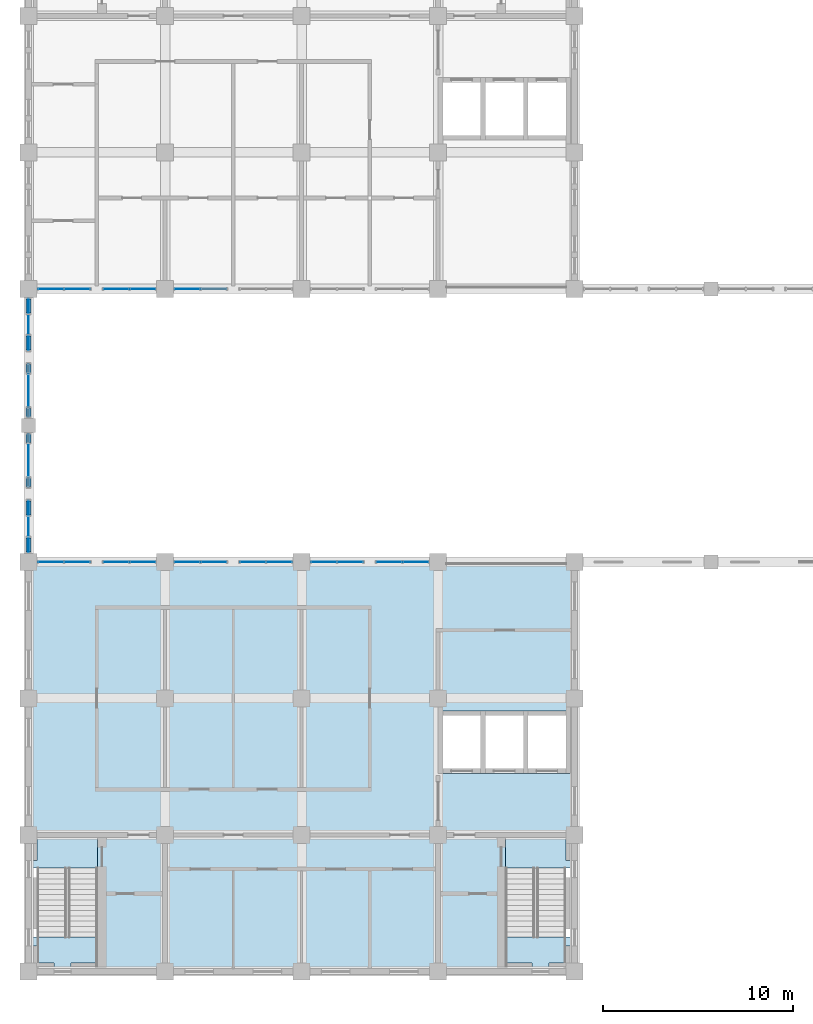
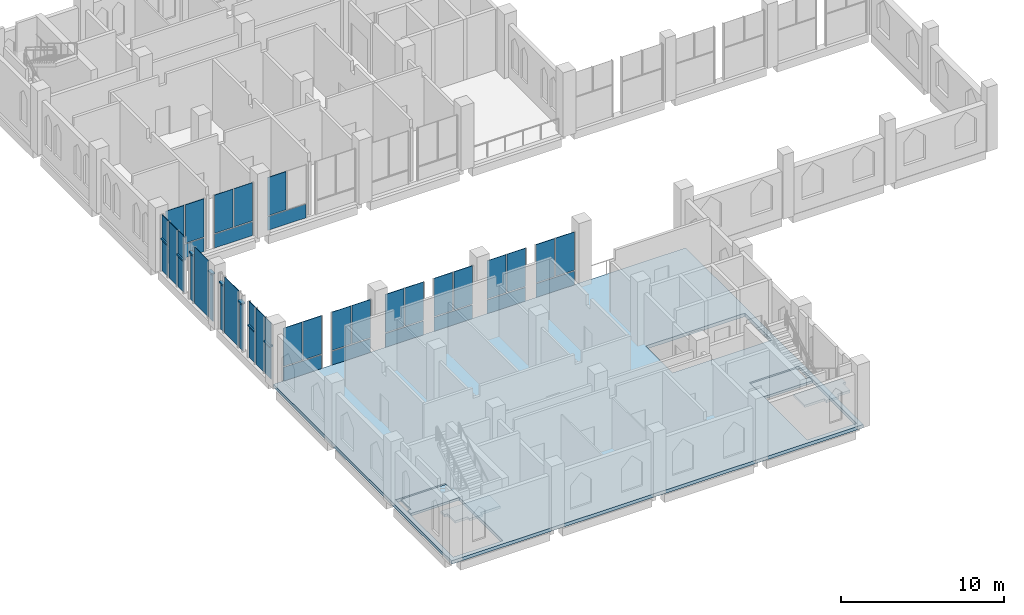
# One storey, part 24 of 39: 42 plates, 8 members, 5 slabs, 15 elements without a shape of their own.
"""IFC4 building model written with IfcOpenShell, lengths in metres."""

from ifc_helpers import new_model, si_unit, direction, frame, origin, origin_2d, place, context, subcontext, project, spatial, polyline, rectangle, hollow_rectangle, outline, extrude, material, layer, layer_set, material_profile, profile_set, type_object, element, aggregate, save


model = new_model("IFC4")

# Units and contexts
model_context = context("Model", 3, precision=1e-05, world=origin(), true_north=direction((0.0, 1.0)))
body_context = subcontext(model_context, "Body", "Model", "MODEL_VIEW")
ifc_project = project(units=[si_unit("LENGTHUNIT", "METRE"), si_unit("AREAUNIT", "SQUARE_METRE"), si_unit("VOLUMEUNIT", "CUBIC_METRE"), si_unit("PLANEANGLEUNIT", "RADIAN"), si_unit("MASSUNIT", "GRAM", prefix="KILO")], contexts=[model_context])

# Site, building, storey
site_placement = place(None, origin())
site = spatial("IfcSite", under=ifc_project, at=site_placement, CompositionType="ELEMENT")
building_placement = place(site_placement, origin())
building = spatial("IfcBuilding", under=site, at=building_placement, Name="Silangan Lancet Faculty of Sciences", CompositionType="ELEMENT")
storey_placement = place(building_placement, frame((0.0, 0.0, 26.39990234375)))
storey = spatial("IfcBuildingStorey", under=building, at=storey_placement, Name="L05", CompositionType="ELEMENT", Elevation=26.39990234375)

# Curtain wall, members
ifc_material_1 = material(Name="Aluminium framed curtain wall with insulated glass", Category="aluminium")
curtain_wall_type_1 = type_object("IfcCurtainWallType", Name="CW3 West stepped lancet window", PredefinedType="NOTDEFINED", material=ifc_material_1)
curtain_wall_1_placement = place(storey_placement, origin())
curtain_wall_1 = element("IfcCurtainWall", 1, at=curtain_wall_1_placement, inside=storey, type_object=curtain_wall_type_1, Name="CW3 West window L05 bay 1", PredefinedType="NOTDEFINED")
ifc_material_2 = material(Name="Aluminium 6063-T6 extrusion", Category="aluminium")
ifc_material_profile = material_profile(ifc_material_2, hollow_rectangle(XDim=0.25, YDim=0.10009765625, WallThickness=0.0048828125, at=origin_2d()), Name="AL BOX 250x100x5")
ifc_profile_set = profile_set([ifc_material_profile], Name="Aluminium 6063-T6 extrusion")
member_type = type_object("IfcMemberType", Name="CT3 Transom 250x100", PredefinedType="USERDEFINED", material=ifc_profile_set)
member_1_placement = place(storey_placement, frame((0.0, 22.125, 2.4501953125), z_axis=(0.0, 1.0, 0.0), x_axis=(-1.0, 0.0, 0.0)))
member_1 = element("IfcMember", 2, at=member_1_placement, type_object=member_type, Name="CW3 West window L05 bay 1 transom 1", ObjectType="TRANSOM", PredefinedType="USERDEFINED", context=body_context, shape_type="SweptSolid", body=[
    extrude(hollow_rectangle(XDim=0.25, YDim=0.10009765625, WallThickness=0.0048828125, at=origin_2d()), origin(), (0.0, 0.0, 1.0), 0.75),
])
member_2_placement = place(storey_placement, frame((0.0, 24.074951171875, 2.4501953125), z_axis=(0.0, 1.0, 0.0), x_axis=(-1.0, 0.0, 0.0)))
member_2 = element("IfcMember", 3, at=member_2_placement, type_object=member_type, Name="CW3 West window L05 bay 1 transom 2", ObjectType="TRANSOM", PredefinedType="USERDEFINED", context=body_context, shape_type="SweptSolid", body=[
    extrude(hollow_rectangle(XDim=0.25, YDim=0.10009765625, WallThickness=0.0048828125, at=origin_2d()), origin(), (0.0, 0.0, 1.0), 0.75),
])

ifc_material_3 = material(Name="Aluminium framed curtain wall with insulated glass", Category="aluminium")
curtain_wall_type_2 = type_object("IfcCurtainWallType", Name="CW6 West window middle bays", PredefinedType="NOTDEFINED", material=ifc_material_3)
curtain_wall_2_placement = place(storey_placement, origin())
curtain_wall_2 = element("IfcCurtainWall", 4, at=curtain_wall_2_placement, inside=storey, type_object=curtain_wall_type_2, Name="CW6 West window L05 bay 2", PredefinedType="NOTDEFINED")
member_3_placement = place(storey_placement, frame((0.0, 25.574951171875, 3.550048828125), z_axis=(0.0, 1.0, 0.0), x_axis=(-1.0, 0.0, 0.0)))
member_3 = element("IfcMember", 5, at=member_3_placement, type_object=member_type, Name="CW6 West window L05 bay 2 transom 1", ObjectType="TRANSOM", PredefinedType="USERDEFINED", context=body_context, shape_type="SweptSolid", body=[
    extrude(hollow_rectangle(XDim=0.25, YDim=0.10009765625, WallThickness=0.0048828125, at=origin_2d()), origin(), (0.0, 0.0, 1.0), 0.449951171875),
])
member_4_placement = place(storey_placement, frame((0.0, 27.89990234375, 3.550048828125), z_axis=(0.0, 1.0, 0.0), x_axis=(-1.0, 0.0, 0.0)))
member_4 = element("IfcMember", 6, at=member_4_placement, type_object=member_type, Name="CW6 West window L05 bay 2 transom 2", ObjectType="TRANSOM", PredefinedType="USERDEFINED", context=body_context, shape_type="SweptSolid", body=[
    extrude(hollow_rectangle(XDim=0.25, YDim=0.10009765625, WallThickness=0.0048828125, at=origin_2d()), origin(), (0.0, 0.0, 1.0), 0.4501953125),
])

curtain_wall_3_placement = place(storey_placement, origin())
curtain_wall_3 = element("IfcCurtainWall", 7, at=curtain_wall_3_placement, inside=storey, type_object=curtain_wall_type_2, Name="CW6 West window L05 bay 3", PredefinedType="NOTDEFINED")
member_5_placement = place(storey_placement, frame((0.0, 29.25, 3.550048828125), z_axis=(0.0, 1.0, 0.0), x_axis=(-1.0, 0.0, 0.0)))
member_5 = element("IfcMember", 8, at=member_5_placement, type_object=member_type, Name="CW6 West window L05 bay 3 transom 1", ObjectType="TRANSOM", PredefinedType="USERDEFINED", context=body_context, shape_type="SweptSolid", body=[
    extrude(hollow_rectangle(XDim=0.25, YDim=0.10009765625, WallThickness=0.0048828125, at=origin_2d()), origin(), (0.0, 0.0, 1.0), 0.449951171875),
])
member_6_placement = place(storey_placement, frame((0.0, 31.574951171875, 3.550048828125), z_axis=(0.0, 1.0, 0.0), x_axis=(-1.0, 0.0, 0.0)))
member_6 = element("IfcMember", 9, at=member_6_placement, type_object=member_type, Name="CW6 West window L05 bay 3 transom 2", ObjectType="TRANSOM", PredefinedType="USERDEFINED", context=body_context, shape_type="SweptSolid", body=[
    extrude(hollow_rectangle(XDim=0.25, YDim=0.10009765625, WallThickness=0.0048828125, at=origin_2d()), origin(), (0.0, 0.0, 1.0), 0.449951171875),
])

curtain_wall_4_placement = place(storey_placement, origin())
curtain_wall_4 = element("IfcCurtainWall", 10, at=curtain_wall_4_placement, inside=storey, type_object=curtain_wall_type_1, Name="CW3 West window L05 bay 4", PredefinedType="NOTDEFINED")
member_7_placement = place(storey_placement, frame((0.0, 32.77490234375, 2.4501953125), z_axis=(0.0, 1.0, 0.0), x_axis=(-1.0, 0.0, 0.0)))
member_7 = element("IfcMember", 11, at=member_7_placement, type_object=member_type, Name="CW3 West window L05 bay 4 transom 1", ObjectType="TRANSOM", PredefinedType="USERDEFINED", context=body_context, shape_type="SweptSolid", body=[
    extrude(hollow_rectangle(XDim=0.25, YDim=0.10009765625, WallThickness=0.0048828125, at=origin_2d()), origin(), (0.0, 0.0, 1.0), 0.75),
])
member_8_placement = place(storey_placement, frame((0.0, 34.72509765625, 2.4501953125), z_axis=(0.0, 1.0, 0.0), x_axis=(-1.0, 0.0, 0.0)))
member_8 = element("IfcMember", 12, at=member_8_placement, type_object=member_type, Name="CW3 West window L05 bay 4 transom 2", ObjectType="TRANSOM", PredefinedType="USERDEFINED", context=body_context, shape_type="SweptSolid", body=[
    extrude(hollow_rectangle(XDim=0.25, YDim=0.10009765625, WallThickness=0.0048828125, at=origin_2d()), origin(), (0.0, 0.0, 1.0), 0.75),
])

# Plate
ifc_material_4 = material(Name="Insulated glass unit 8+16+8 low-emissivity", Category="glass")
ifc_layer_1 = layer(ifc_material_4, 0.031982421875)
ifc_layer_set_1 = layer_set([ifc_layer_1], Name="Insulated glass unit 8+16+8 low-emissivity")
plate_type_1 = type_object("IfcPlateType", Name="CP1 Panel vision glass 32", PredefinedType="CURTAIN_PANEL", material=ifc_layer_set_1)
plate_1_placement = place(storey_placement, frame((0.0, 22.5, 2.5), z_axis=(0.0, 0.0, 1.0), x_axis=(0.0, 1.0, 0.0)))
plate_1 = element("IfcPlate", 13, at=plate_1_placement, type_object=plate_type_1, Name="CW3 West window L05 bay 1 panel 3", PredefinedType="CURTAIN_PANEL", context=body_context, shape_type="SweptSolid", body=[
    extrude(rectangle(XDim=0.75, YDim=0.031982421875, at=origin_2d()), origin(), (0.0, 0.0, 1.0), 1.699951171875),
])

plate_2_placement = place(storey_placement, frame((0.0, 24.449951171875, 2.5), z_axis=(0.0, 0.0, 1.0), x_axis=(0.0, 1.0, 0.0)))
plate_2 = element("IfcPlate", 14, at=plate_2_placement, type_object=plate_type_1, Name="CW3 West window L05 bay 1 panel 4", PredefinedType="CURTAIN_PANEL", context=body_context, shape_type="SweptSolid", body=[
    extrude(rectangle(XDim=0.75, YDim=0.031982421875, at=origin_2d()), origin(), (0.0, 0.0, 1.0), 1.699951171875),
])

plate_3_placement = place(storey_placement, frame((0.0, 33.14990234375, 2.5), z_axis=(0.0, 0.0, 1.0), x_axis=(0.0, 1.0, 0.0)))
plate_3 = element("IfcPlate", 15, at=plate_3_placement, type_object=plate_type_1, Name="CW3 West window L05 bay 4 panel 3", PredefinedType="CURTAIN_PANEL", context=body_context, shape_type="SweptSolid", body=[
    extrude(rectangle(XDim=0.75, YDim=0.031982421875, at=origin_2d()), origin(), (0.0, 0.0, 1.0), 1.699951171875),
])

plate_4_placement = place(storey_placement, frame((0.0, 35.10009765625, 2.5), z_axis=(0.0, 0.0, 1.0), x_axis=(0.0, 1.0, 0.0)))
plate_4 = element("IfcPlate", 16, at=plate_4_placement, type_object=plate_type_1, Name="CW3 West window L05 bay 4 panel 4", PredefinedType="CURTAIN_PANEL", context=body_context, shape_type="SweptSolid", body=[
    extrude(rectangle(XDim=0.75, YDim=0.031982421875, at=origin_2d()), origin(), (0.0, 0.0, 1.0), 1.699951171875),
])

ifc_material_5 = material(Name="Laminated insulated glass unit 10.76+14+8", Category="glass")
ifc_layer_2 = layer(ifc_material_5, 0.035888671875)
ifc_layer_set_2 = layer_set([ifc_layer_2], Name="Laminated insulated glass unit 10.76+14+8")
plate_type_2 = type_object("IfcPlateType", Name="CP2 Panel laminated glass 36", PredefinedType="CURTAIN_PANEL", material=ifc_layer_set_2)
plate_5_placement = place(storey_placement, frame((0.0, 22.5, 0.000244140625), z_axis=(0.0, 0.0, 1.0), x_axis=(0.0, 1.0, 0.0)))
plate_5 = element("IfcPlate", 17, at=plate_5_placement, type_object=plate_type_2, Name="CW3 West window L05 bay 1 panel 1", PredefinedType="CURTAIN_PANEL", context=body_context, shape_type="SweptSolid", body=[
    extrude(rectangle(XDim=0.75, YDim=0.035888671875, at=origin_2d()), origin(), (0.0, 0.0, 1.0), 2.39990234375),
])

plate_6_placement = place(storey_placement, frame((0.0, 24.449951171875, 0.000244140625), z_axis=(0.0, 0.0, 1.0), x_axis=(0.0, 1.0, 0.0)))
plate_6 = element("IfcPlate", 18, at=plate_6_placement, type_object=plate_type_2, Name="CW3 West window L05 bay 1 panel 2", PredefinedType="CURTAIN_PANEL", context=body_context, shape_type="SweptSolid", body=[
    extrude(rectangle(XDim=0.75, YDim=0.035888671875, at=origin_2d()), origin(), (0.0, 0.0, 1.0), 2.39990234375),
])

plate_7_placement = place(storey_placement, frame((0.0, 23.47509765625, 0.0), z_axis=(0.0, 0.0, 1.0), x_axis=(0.0, 1.0, 0.0)))
plate_7 = element("IfcPlate", 19, at=plate_7_placement, type_object=plate_type_2, Name="CW3 West window L05 bay 1 panel 5", PredefinedType="CURTAIN_PANEL", context=body_context, shape_type="SweptSolid", body=[
    extrude(rectangle(XDim=1.050048828125, YDim=0.035888671875, at=origin_2d()), origin(), (0.0, 0.0, 1.0), 4.199951171875),
])

aggregate(curtain_wall_1, [member_1, member_2, plate_5, plate_6, plate_1, plate_2, plate_7])

plate_8_placement = place(storey_placement, frame((0.0, 25.800048828125, 0.0), z_axis=(0.0, 0.0, 1.0), x_axis=(0.0, 1.0, 0.0)))
plate_8 = element("IfcPlate", 20, at=plate_8_placement, type_object=plate_type_2, Name="CW6 West window L05 bay 2 panel 1", PredefinedType="CURTAIN_PANEL", context=body_context, shape_type="SweptSolid", body=[
    extrude(rectangle(XDim=0.449951171875, YDim=0.035888671875, at=origin_2d()), origin(), (0.0, 0.0, 1.0), 3.5),
])

plate_9_placement = place(storey_placement, frame((0.0, 28.125, 0.0), z_axis=(0.0, 0.0, 1.0), x_axis=(0.0, 1.0, 0.0)))
plate_9 = element("IfcPlate", 21, at=plate_9_placement, type_object=plate_type_2, Name="CW6 West window L05 bay 2 panel 2", PredefinedType="CURTAIN_PANEL", context=body_context, shape_type="SweptSolid", body=[
    extrude(rectangle(XDim=0.449951171875, YDim=0.035888671875, at=origin_2d()), origin(), (0.0, 0.0, 1.0), 3.5),
])

plate_10_placement = place(storey_placement, frame((0.0, 26.96240234375, 0.0), z_axis=(0.0, 0.0, 1.0), x_axis=(0.0, 1.0, 0.0)))
plate_10 = element("IfcPlate", 22, at=plate_10_placement, type_object=plate_type_2, Name="CW6 West window L05 bay 2 panel 5", PredefinedType="CURTAIN_PANEL", context=body_context, shape_type="SweptSolid", body=[
    extrude(rectangle(XDim=1.72509765625, YDim=0.035888671875, at=origin_2d()), origin(), (0.0, 0.0, 1.0), 4.199951171875),
])

aggregate(curtain_wall_2, [member_3, member_4, plate_8, plate_9, plate_10])

plate_11_placement = place(storey_placement, frame((0.0, 29.47509765625, 0.0), z_axis=(0.0, 0.0, 1.0), x_axis=(0.0, 1.0, 0.0)))
plate_11 = element("IfcPlate", 23, at=plate_11_placement, type_object=plate_type_2, Name="CW6 West window L05 bay 3 panel 1", PredefinedType="CURTAIN_PANEL", context=body_context, shape_type="SweptSolid", body=[
    extrude(rectangle(XDim=0.449951171875, YDim=0.035888671875, at=origin_2d()), origin(), (0.0, 0.0, 1.0), 3.5),
])

plate_12_placement = place(storey_placement, frame((0.0, 31.7998046875, 0.0), z_axis=(0.0, 0.0, 1.0), x_axis=(0.0, 1.0, 0.0)))
plate_12 = element("IfcPlate", 24, at=plate_12_placement, type_object=plate_type_2, Name="CW6 West window L05 bay 3 panel 2", PredefinedType="CURTAIN_PANEL", context=body_context, shape_type="SweptSolid", body=[
    extrude(rectangle(XDim=0.449951171875, YDim=0.035888671875, at=origin_2d()), origin(), (0.0, 0.0, 1.0), 3.5),
])

plate_13_placement = place(storey_placement, frame((0.0, 30.637451171875, 0.0), z_axis=(0.0, 0.0, 1.0), x_axis=(0.0, 1.0, 0.0)))
plate_13 = element("IfcPlate", 25, at=plate_13_placement, type_object=plate_type_2, Name="CW6 West window L05 bay 3 panel 5", PredefinedType="CURTAIN_PANEL", context=body_context, shape_type="SweptSolid", body=[
    extrude(rectangle(XDim=1.724853515625, YDim=0.035888671875, at=origin_2d()), origin(), (0.0, 0.0, 1.0), 4.199951171875),
])

aggregate(curtain_wall_3, [member_5, member_6, plate_11, plate_12, plate_13])

plate_14_placement = place(storey_placement, frame((0.0, 33.14990234375, 0.000244140625), z_axis=(0.0, 0.0, 1.0), x_axis=(0.0, 1.0, 0.0)))
plate_14 = element("IfcPlate", 26, at=plate_14_placement, type_object=plate_type_2, Name="CW3 West window L05 bay 4 panel 1", PredefinedType="CURTAIN_PANEL", context=body_context, shape_type="SweptSolid", body=[
    extrude(rectangle(XDim=0.75, YDim=0.035888671875, at=origin_2d()), origin(), (0.0, 0.0, 1.0), 2.39990234375),
])

plate_15_placement = place(storey_placement, frame((0.0, 35.10009765625, 0.000244140625), z_axis=(0.0, 0.0, 1.0), x_axis=(0.0, 1.0, 0.0)))
plate_15 = element("IfcPlate", 27, at=plate_15_placement, type_object=plate_type_2, Name="CW3 West window L05 bay 4 panel 2", PredefinedType="CURTAIN_PANEL", context=body_context, shape_type="SweptSolid", body=[
    extrude(rectangle(XDim=0.75, YDim=0.035888671875, at=origin_2d()), origin(), (0.0, 0.0, 1.0), 2.39990234375),
])

plate_16_placement = place(storey_placement, frame((0.0, 34.125, 0.0), z_axis=(0.0, 0.0, 1.0), x_axis=(0.0, 1.0, 0.0)))
plate_16 = element("IfcPlate", 28, at=plate_16_placement, type_object=plate_type_2, Name="CW3 West window L05 bay 4 panel 5", PredefinedType="CURTAIN_PANEL", context=body_context, shape_type="SweptSolid", body=[
    extrude(rectangle(XDim=1.050048828125, YDim=0.035888671875, at=origin_2d()), origin(), (0.0, 0.0, 1.0), 4.199951171875),
])

aggregate(curtain_wall_4, [member_7, member_8, plate_14, plate_15, plate_3, plate_4, plate_16])

# Curtain wall, plates
ifc_material_6 = material(Name="Aluminium framed curtain wall with insulated glass", Category="aluminium")
curtain_wall_type_3 = type_object("IfcCurtainWallType", Name="CW2 Atrium fire-resisting screen", PredefinedType="NOTDEFINED", material=ifc_material_6)
curtain_wall_5_placement = place(storey_placement, origin())
curtain_wall_5 = element("IfcCurtainWall", 29, at=curtain_wall_5_placement, inside=storey, type_object=curtain_wall_type_3, Name="CW2 Atrium south L05 bay 1", PredefinedType="NOTDEFINED")
ifc_material_7 = material(Name="Fire-resisting glass unit 40 mm, integrity E", Category="glass")
ifc_layer_3 = layer(ifc_material_7, 0.0400390625)
ifc_layer_set_3 = layer_set([ifc_layer_3], Name="Fire-resisting glass unit 40 mm, integrity E")
plate_type_3 = type_object("IfcPlateType", Name="CP3 Panel fire-resisting glass 40", PredefinedType="CURTAIN_PANEL", material=ifc_layer_set_3)
plate_17_placement = place(storey_placement, frame((19.72509765625, 21.60009765625, 0.000244140625), z_axis=(0.0, 0.0, 1.0), x_axis=(-1.0, 0.0, 0.0)))
plate_17 = element("IfcPlate", 30, at=plate_17_placement, type_object=plate_type_3, Name="CW2 Atrium south L05 bay 1 panel 1", PredefinedType="CURTAIN_PANEL", context=body_context, shape_type="SweptSolid", body=[
    extrude(rectangle(XDim=2.699951171875, YDim=0.0400390625, at=origin_2d()), origin(), (0.0, 0.0, 1.0), 1.02490234375),
])
plate_18_placement = place(storey_placement, frame((20.418701171875, 21.60009765625, 1.10009765625), z_axis=(0.0, 0.0, 1.0), x_axis=(-1.0, 0.0, 0.0)))
plate_18 = element("IfcPlate", 31, at=plate_18_placement, type_object=plate_type_3, Name="CW2 Atrium south L05 bay 1 panel 2", PredefinedType="CURTAIN_PANEL", context=body_context, shape_type="SweptSolid", body=[
    extrude(rectangle(XDim=1.3125, YDim=0.0400390625, at=origin_2d()), origin(), (0.0, 0.0, 1.0), 2.85009765625),
])
plate_19_placement = place(storey_placement, frame((19.03125, 21.60009765625, 1.10009765625), z_axis=(0.0, 0.0, 1.0), x_axis=(-1.0, 0.0, 0.0)))
plate_19 = element("IfcPlate", 32, at=plate_19_placement, type_object=plate_type_3, Name="CW2 Atrium south L05 bay 1 panel 3", PredefinedType="CURTAIN_PANEL", context=body_context, shape_type="SweptSolid", body=[
    extrude(rectangle(XDim=1.3125, YDim=0.0400390625, at=origin_2d()), origin(), (0.0, 0.0, 1.0), 2.85009765625),
])
aggregate(curtain_wall_5, [plate_17, plate_18, plate_19])

curtain_wall_6_placement = place(storey_placement, origin())
curtain_wall_6 = element("IfcCurtainWall", 33, at=curtain_wall_6_placement, inside=storey, type_object=curtain_wall_type_3, Name="CW2 Atrium south L05 bay 2", PredefinedType="NOTDEFINED")
plate_20_placement = place(storey_placement, frame((16.27490234375, 21.60009765625, 0.000244140625), z_axis=(0.0, 0.0, 1.0), x_axis=(-1.0, 0.0, 0.0)))
plate_20 = element("IfcPlate", 34, at=plate_20_placement, type_object=plate_type_3, Name="CW2 Atrium south L05 bay 2 panel 1", PredefinedType="CURTAIN_PANEL", context=body_context, shape_type="SweptSolid", body=[
    extrude(rectangle(XDim=2.699951171875, YDim=0.0400390625, at=origin_2d()), origin(), (0.0, 0.0, 1.0), 1.02490234375),
])
plate_21_placement = place(storey_placement, frame((16.96875, 21.60009765625, 1.10009765625), z_axis=(0.0, 0.0, 1.0), x_axis=(-1.0, 0.0, 0.0)))
plate_21 = element("IfcPlate", 35, at=plate_21_placement, type_object=plate_type_3, Name="CW2 Atrium south L05 bay 2 panel 2", PredefinedType="CURTAIN_PANEL", context=body_context, shape_type="SweptSolid", body=[
    extrude(rectangle(XDim=1.3125, YDim=0.0400390625, at=origin_2d()), origin(), (0.0, 0.0, 1.0), 2.85009765625),
])
plate_22_placement = place(storey_placement, frame((15.581298828125, 21.60009765625, 1.10009765625), z_axis=(0.0, 0.0, 1.0), x_axis=(-1.0, 0.0, 0.0)))
plate_22 = element("IfcPlate", 36, at=plate_22_placement, type_object=plate_type_3, Name="CW2 Atrium south L05 bay 2 panel 3", PredefinedType="CURTAIN_PANEL", context=body_context, shape_type="SweptSolid", body=[
    extrude(rectangle(XDim=1.3125, YDim=0.0400390625, at=origin_2d()), origin(), (0.0, 0.0, 1.0), 2.85009765625),
])
aggregate(curtain_wall_6, [plate_20, plate_21, plate_22])

curtain_wall_7_placement = place(storey_placement, origin())
curtain_wall_7 = element("IfcCurtainWall", 37, at=curtain_wall_7_placement, inside=storey, type_object=curtain_wall_type_3, Name="CW2 Atrium south L05 bay 3", PredefinedType="NOTDEFINED")
plate_23_placement = place(storey_placement, frame((12.52490234375, 21.60009765625, 0.000244140625), z_axis=(0.0, 0.0, 1.0), x_axis=(-1.0, 0.0, 0.0)))
plate_23 = element("IfcPlate", 38, at=plate_23_placement, type_object=plate_type_3, Name="CW2 Atrium south L05 bay 3 panel 1", PredefinedType="CURTAIN_PANEL", context=body_context, shape_type="SweptSolid", body=[
    extrude(rectangle(XDim=2.699951171875, YDim=0.0400390625, at=origin_2d()), origin(), (0.0, 0.0, 1.0), 1.02490234375),
])
plate_24_placement = place(storey_placement, frame((13.21875, 21.60009765625, 1.10009765625), z_axis=(0.0, 0.0, 1.0), x_axis=(-1.0, 0.0, 0.0)))
plate_24 = element("IfcPlate", 39, at=plate_24_placement, type_object=plate_type_3, Name="CW2 Atrium south L05 bay 3 panel 2", PredefinedType="CURTAIN_PANEL", context=body_context, shape_type="SweptSolid", body=[
    extrude(rectangle(XDim=1.3125, YDim=0.0400390625, at=origin_2d()), origin(), (0.0, 0.0, 1.0), 2.85009765625),
])
plate_25_placement = place(storey_placement, frame((11.831298828125, 21.60009765625, 1.10009765625), z_axis=(0.0, 0.0, 1.0), x_axis=(-1.0, 0.0, 0.0)))
plate_25 = element("IfcPlate", 40, at=plate_25_placement, type_object=plate_type_3, Name="CW2 Atrium south L05 bay 3 panel 3", PredefinedType="CURTAIN_PANEL", context=body_context, shape_type="SweptSolid", body=[
    extrude(rectangle(XDim=1.3125, YDim=0.0400390625, at=origin_2d()), origin(), (0.0, 0.0, 1.0), 2.85009765625),
])
aggregate(curtain_wall_7, [plate_23, plate_24, plate_25])

curtain_wall_8_placement = place(storey_placement, origin())
curtain_wall_8 = element("IfcCurtainWall", 41, at=curtain_wall_8_placement, inside=storey, type_object=curtain_wall_type_3, Name="CW2 Atrium south L05 bay 4", PredefinedType="NOTDEFINED")
plate_26_placement = place(storey_placement, frame((9.074951171875, 21.60009765625, 0.000244140625), z_axis=(0.0, 0.0, 1.0), x_axis=(-1.0, 0.0, 0.0)))
plate_26 = element("IfcPlate", 42, at=plate_26_placement, type_object=plate_type_3, Name="CW2 Atrium south L05 bay 4 panel 1", PredefinedType="CURTAIN_PANEL", context=body_context, shape_type="SweptSolid", body=[
    extrude(rectangle(XDim=2.699951171875, YDim=0.0400390625, at=origin_2d()), origin(), (0.0, 0.0, 1.0), 1.02490234375),
])
plate_27_placement = place(storey_placement, frame((9.768798828125, 21.60009765625, 1.10009765625), z_axis=(0.0, 0.0, 1.0), x_axis=(-1.0, 0.0, 0.0)))
plate_27 = element("IfcPlate", 43, at=plate_27_placement, type_object=plate_type_3, Name="CW2 Atrium south L05 bay 4 panel 2", PredefinedType="CURTAIN_PANEL", context=body_context, shape_type="SweptSolid", body=[
    extrude(rectangle(XDim=1.3125, YDim=0.0400390625, at=origin_2d()), origin(), (0.0, 0.0, 1.0), 2.85009765625),
])
plate_28_placement = place(storey_placement, frame((8.38134765625, 21.60009765625, 1.10009765625), z_axis=(0.0, 0.0, 1.0), x_axis=(-1.0, 0.0, 0.0)))
plate_28 = element("IfcPlate", 44, at=plate_28_placement, type_object=plate_type_3, Name="CW2 Atrium south L05 bay 4 panel 3", PredefinedType="CURTAIN_PANEL", context=body_context, shape_type="SweptSolid", body=[
    extrude(rectangle(XDim=1.3125, YDim=0.0400390625, at=origin_2d()), origin(), (0.0, 0.0, 1.0), 2.85009765625),
])
aggregate(curtain_wall_8, [plate_26, plate_27, plate_28])

curtain_wall_9_placement = place(storey_placement, origin())
curtain_wall_9 = element("IfcCurtainWall", 45, at=curtain_wall_9_placement, inside=storey, type_object=curtain_wall_type_3, Name="CW2 Atrium south L05 bay 5", PredefinedType="NOTDEFINED")
plate_29_placement = place(storey_placement, frame((5.324951171875, 21.60009765625, 0.000244140625), z_axis=(0.0, 0.0, 1.0), x_axis=(-1.0, 0.0, 0.0)))
plate_29 = element("IfcPlate", 46, at=plate_29_placement, type_object=plate_type_3, Name="CW2 Atrium south L05 bay 5 panel 1", PredefinedType="CURTAIN_PANEL", context=body_context, shape_type="SweptSolid", body=[
    extrude(rectangle(XDim=2.699951171875, YDim=0.0400390625, at=origin_2d()), origin(), (0.0, 0.0, 1.0), 1.02490234375),
])
plate_30_placement = place(storey_placement, frame((6.018798828125, 21.60009765625, 1.10009765625), z_axis=(0.0, 0.0, 1.0), x_axis=(-1.0, 0.0, 0.0)))
plate_30 = element("IfcPlate", 47, at=plate_30_placement, type_object=plate_type_3, Name="CW2 Atrium south L05 bay 5 panel 2", PredefinedType="CURTAIN_PANEL", context=body_context, shape_type="SweptSolid", body=[
    extrude(rectangle(XDim=1.3125, YDim=0.0400390625, at=origin_2d()), origin(), (0.0, 0.0, 1.0), 2.85009765625),
])
plate_31_placement = place(storey_placement, frame((4.63134765625, 21.60009765625, 1.10009765625), z_axis=(0.0, 0.0, 1.0), x_axis=(-1.0, 0.0, 0.0)))
plate_31 = element("IfcPlate", 48, at=plate_31_placement, type_object=plate_type_3, Name="CW2 Atrium south L05 bay 5 panel 3", PredefinedType="CURTAIN_PANEL", context=body_context, shape_type="SweptSolid", body=[
    extrude(rectangle(XDim=1.3125, YDim=0.0400390625, at=origin_2d()), origin(), (0.0, 0.0, 1.0), 2.85009765625),
])
aggregate(curtain_wall_9, [plate_29, plate_30, plate_31])

curtain_wall_10_placement = place(storey_placement, origin())
curtain_wall_10 = element("IfcCurtainWall", 49, at=curtain_wall_10_placement, inside=storey, type_object=curtain_wall_type_3, Name="CW2 Atrium south L05 bay 6", PredefinedType="NOTDEFINED")
plate_32_placement = place(storey_placement, frame((1.875, 21.60009765625, 0.000244140625), z_axis=(0.0, 0.0, 1.0), x_axis=(-1.0, 0.0, 0.0)))
plate_32 = element("IfcPlate", 50, at=plate_32_placement, type_object=plate_type_3, Name="CW2 Atrium south L05 bay 6 panel 1", PredefinedType="CURTAIN_PANEL", context=body_context, shape_type="SweptSolid", body=[
    extrude(rectangle(XDim=2.7001953125, YDim=0.0400390625, at=origin_2d()), origin(), (0.0, 0.0, 1.0), 1.02490234375),
])
plate_33_placement = place(storey_placement, frame((2.56884765625, 21.60009765625, 1.10009765625), z_axis=(0.0, 0.0, 1.0), x_axis=(-1.0, 0.0, 0.0)))
plate_33 = element("IfcPlate", 51, at=plate_33_placement, type_object=plate_type_3, Name="CW2 Atrium south L05 bay 6 panel 2", PredefinedType="CURTAIN_PANEL", context=body_context, shape_type="SweptSolid", body=[
    extrude(rectangle(XDim=1.3125, YDim=0.0400390625, at=origin_2d()), origin(), (0.0, 0.0, 1.0), 2.85009765625),
])
plate_34_placement = place(storey_placement, frame((1.181396484375, 21.60009765625, 1.10009765625), z_axis=(0.0, 0.0, 1.0), x_axis=(-1.0, 0.0, 0.0)))
plate_34 = element("IfcPlate", 52, at=plate_34_placement, type_object=plate_type_3, Name="CW2 Atrium south L05 bay 6 panel 3", PredefinedType="CURTAIN_PANEL", context=body_context, shape_type="SweptSolid", body=[
    extrude(rectangle(XDim=1.3125, YDim=0.0400390625, at=origin_2d()), origin(), (0.0, 0.0, 1.0), 2.85009765625),
])
aggregate(curtain_wall_10, [plate_32, plate_33, plate_34])

curtain_wall_11_placement = place(storey_placement, origin())
curtain_wall_11 = element("IfcCurtainWall", 53, at=curtain_wall_11_placement, inside=storey, type_object=curtain_wall_type_3, Name="CW2 Atrium north L05 bay 1", PredefinedType="NOTDEFINED")
plate_35_placement = place(storey_placement, frame((1.875, 36.0, 0.000244140625), z_axis=(0.0, 0.0, 1.0), x_axis=(1.0, 0.0, 0.0)))
plate_35 = element("IfcPlate", 54, at=plate_35_placement, type_object=plate_type_3, Name="CW2 Atrium north L05 bay 1 panel 1", PredefinedType="CURTAIN_PANEL", context=body_context, shape_type="SweptSolid", body=[
    extrude(rectangle(XDim=2.7001953125, YDim=0.0400390625, at=origin_2d()), origin(), (0.0, 0.0, 1.0), 1.02490234375),
])
plate_36_placement = place(storey_placement, frame((1.181396484375, 36.0, 1.10009765625), z_axis=(0.0, 0.0, 1.0), x_axis=(1.0, 0.0, 0.0)))
plate_36 = element("IfcPlate", 55, at=plate_36_placement, type_object=plate_type_3, Name="CW2 Atrium north L05 bay 1 panel 2", PredefinedType="CURTAIN_PANEL", context=body_context, shape_type="SweptSolid", body=[
    extrude(rectangle(XDim=1.3125, YDim=0.0400390625, at=origin_2d()), origin(), (0.0, 0.0, 1.0), 2.85009765625),
])
plate_37_placement = place(storey_placement, frame((2.56884765625, 36.0, 1.10009765625), z_axis=(0.0, 0.0, 1.0), x_axis=(1.0, 0.0, 0.0)))
plate_37 = element("IfcPlate", 56, at=plate_37_placement, type_object=plate_type_3, Name="CW2 Atrium north L05 bay 1 panel 3", PredefinedType="CURTAIN_PANEL", context=body_context, shape_type="SweptSolid", body=[
    extrude(rectangle(XDim=1.3125, YDim=0.0400390625, at=origin_2d()), origin(), (0.0, 0.0, 1.0), 2.85009765625),
])
aggregate(curtain_wall_11, [plate_35, plate_36, plate_37])

curtain_wall_12_placement = place(storey_placement, origin())
curtain_wall_12 = element("IfcCurtainWall", 57, at=curtain_wall_12_placement, inside=storey, type_object=curtain_wall_type_3, Name="CW2 Atrium north L05 bay 2", PredefinedType="NOTDEFINED")
plate_38_placement = place(storey_placement, frame((5.324951171875, 36.0, 0.000244140625), z_axis=(0.0, 0.0, 1.0), x_axis=(1.0, 0.0, 0.0)))
plate_38 = element("IfcPlate", 58, at=plate_38_placement, type_object=plate_type_3, Name="CW2 Atrium north L05 bay 2 panel 1", PredefinedType="CURTAIN_PANEL", context=body_context, shape_type="SweptSolid", body=[
    extrude(rectangle(XDim=2.699951171875, YDim=0.0400390625, at=origin_2d()), origin(), (0.0, 0.0, 1.0), 1.02490234375),
])
plate_39_placement = place(storey_placement, frame((4.63134765625, 36.0, 1.10009765625), z_axis=(0.0, 0.0, 1.0), x_axis=(1.0, 0.0, 0.0)))
plate_39 = element("IfcPlate", 59, at=plate_39_placement, type_object=plate_type_3, Name="CW2 Atrium north L05 bay 2 panel 2", PredefinedType="CURTAIN_PANEL", context=body_context, shape_type="SweptSolid", body=[
    extrude(rectangle(XDim=1.3125, YDim=0.0400390625, at=origin_2d()), origin(), (0.0, 0.0, 1.0), 2.85009765625),
])
plate_40_placement = place(storey_placement, frame((6.018798828125, 36.0, 1.10009765625), z_axis=(0.0, 0.0, 1.0), x_axis=(1.0, 0.0, 0.0)))
plate_40 = element("IfcPlate", 60, at=plate_40_placement, type_object=plate_type_3, Name="CW2 Atrium north L05 bay 2 panel 3", PredefinedType="CURTAIN_PANEL", context=body_context, shape_type="SweptSolid", body=[
    extrude(rectangle(XDim=1.3125, YDim=0.0400390625, at=origin_2d()), origin(), (0.0, 0.0, 1.0), 2.85009765625),
])
aggregate(curtain_wall_12, [plate_38, plate_39, plate_40])

curtain_wall_13_placement = place(storey_placement, origin())
curtain_wall_13 = element("IfcCurtainWall", 61, at=curtain_wall_13_placement, inside=storey, type_object=curtain_wall_type_3, Name="CW2 Atrium north L05 bay 3", PredefinedType="NOTDEFINED")
plate_41_placement = place(storey_placement, frame((9.074951171875, 36.0, 0.000244140625), z_axis=(0.0, 0.0, 1.0), x_axis=(1.0, 0.0, 0.0)))
plate_41 = element("IfcPlate", 62, at=plate_41_placement, type_object=plate_type_3, Name="CW2 Atrium north L05 bay 3 panel 1", PredefinedType="CURTAIN_PANEL", context=body_context, shape_type="SweptSolid", body=[
    extrude(rectangle(XDim=2.699951171875, YDim=0.0400390625, at=origin_2d()), origin(), (0.0, 0.0, 1.0), 1.02490234375),
])
plate_42_placement = place(storey_placement, frame((8.38134765625, 36.0, 1.10009765625), z_axis=(0.0, 0.0, 1.0), x_axis=(1.0, 0.0, 0.0)))
plate_42 = element("IfcPlate", 63, at=plate_42_placement, type_object=plate_type_3, Name="CW2 Atrium north L05 bay 3 panel 2", PredefinedType="CURTAIN_PANEL", context=body_context, shape_type="SweptSolid", body=[
    extrude(rectangle(XDim=1.3125, YDim=0.0400390625, at=origin_2d()), origin(), (0.0, 0.0, 1.0), 2.85009765625),
])
aggregate(curtain_wall_13, [plate_41, plate_42])

# Slab
ifc_material_8 = material(Name="Concrete C35/45", Category="concrete")
ifc_layer_4 = layer(ifc_material_8, 0.25)
ifc_layer_set_4 = layer_set([ifc_layer_4], Name="Concrete C35/45")
slab_type_1 = type_object("IfcSlabType", Name="SLAB FLOOR 250", PredefinedType="FLOOR", material=ifc_layer_set_4)
slab_1_placement = place(storey_placement, frame((0.0, 0.0, -0.25)))
element("IfcSlab", 64, at=slab_1_placement, inside=storey, type_object=slab_type_1, Name="SLAB-L05-ST", PredefinedType="FLOOR", context=body_context, shape_type="SweptSolid", body=[
    extrude(outline(polyline([(-0.14990234375, 21.60009765625), (-0.14990234375, -0.14990234375), (28.949951171875, -0.14990234375), (28.949951171875, 21.60009765625), (-0.14990234375, 21.60009765625)]), holes=[polyline([(0.14990234375, 7.199951171875), (3.64990234375, 7.199951171875), (3.64990234375, 0.14990234375), (0.14990234375, 0.14990234375), (0.14990234375, 7.199951171875)]), polyline([(25.14990234375, 0.14990234375), (25.14990234375, 7.199951171875), (28.64990234375, 7.199951171875), (28.64990234375, 0.14990234375), (25.14990234375, 0.14990234375)]), polyline([(21.60009765625, 13.75), (28.60009765625, 13.75), (28.60009765625, 10.449951171875), (21.60009765625, 10.449951171875), (21.60009765625, 13.75)])]), origin(), (0.0, 0.0, 1.0), 0.25),
])

# Stair, slabs
ifc_material_9 = material(Name="Concrete C40/50", Category="concrete")
stair_type = type_object("IfcStairType", Name="TURRET STAIR 1550 TWO-FLIGHT", PredefinedType="HALF_TURN_STAIR", material=ifc_material_9)
stair_1_placement = place(storey_placement, origin())
stair_1 = element("IfcStair", 65, at=stair_1_placement, inside=storey, type_object=stair_type, Name="ST-A stair L05", PredefinedType="HALF_TURN_STAIR")
ifc_material_10 = material(Name="Concrete C40/50", Category="concrete")
ifc_layer_5 = layer(ifc_material_10, 0.179931640625)
ifc_layer_set_5 = layer_set([ifc_layer_5], Name="Concrete C40/50")
slab_type_2 = type_object("IfcSlabType", Name="TURRET STAIR LANDING RC 180", PredefinedType="LANDING", material=ifc_layer_set_5)
slab_2_placement = place(storey_placement, frame((0.0, 0.0, -0.179931640625)))
slab_2 = element("IfcSlab", 66, at=slab_2_placement, type_object=slab_type_2, Name="STR1 landing 1", PredefinedType="LANDING", context=body_context, shape_type="SweptSolid", body=[
    extrude(outline(polyline([(0.449951171875, 7.074951171875), (3.64990234375, 7.074951171875), (3.64990234375, 5.449951171875), (0.22509765625, 5.449951171875), (0.22509765625, 5.85009765625), (0.449951171875, 5.85009765625), (0.449951171875, 7.074951171875)])), origin(), (0.0, 0.0, 1.0), 0.179931640625),
])
slab_3_placement = place(storey_placement, frame((0.0, 0.0, 2.22021484375)))
slab_3 = element("IfcSlab", 67, at=slab_3_placement, type_object=slab_type_2, Name="STR1 landing 2", PredefinedType="LANDING", context=body_context, shape_type="SweptSolid", body=[
    extrude(outline(polyline([(0.449951171875, 0.449951171875), (0.449951171875, 1.35009765625), (0.22509765625, 1.35009765625), (0.22509765625, 1.81005859375), (3.64990234375, 1.81005859375), (3.64990234375, 0.449951171875), (2.25, 0.449951171875), (2.25, 0.22509765625), (1.35009765625, 0.22509765625), (1.35009765625, 0.449951171875), (0.449951171875, 0.449951171875)])), origin(), (0.0, 0.0, 1.0), 0.179931640625),
])
aggregate(stair_1, [slab_2, slab_3])

stair_2_placement = place(storey_placement, origin())
stair_2 = element("IfcStair", 68, at=stair_2_placement, inside=storey, type_object=stair_type, Name="ST-B stair L05", PredefinedType="HALF_TURN_STAIR")
slab_4_placement = place(storey_placement, frame((0.0, 0.0, -0.179931640625)))
slab_4 = element("IfcSlab", 69, at=slab_4_placement, type_object=slab_type_2, Name="STR2 landing 1", PredefinedType="LANDING", context=body_context, shape_type="SweptSolid", body=[
    extrude(outline(polyline([(28.35009765625, 5.85009765625), (28.574951171875, 5.85009765625), (28.574951171875, 5.449951171875), (25.14990234375, 5.449951171875), (25.14990234375, 7.074951171875), (28.35009765625, 7.074951171875), (28.35009765625, 5.85009765625)])), origin(), (0.0, 0.0, 1.0), 0.179931640625),
])
slab_5_placement = place(storey_placement, frame((0.0, 0.0, 2.22021484375)))
slab_5 = element("IfcSlab", 70, at=slab_5_placement, type_object=slab_type_2, Name="STR2 landing 2", PredefinedType="LANDING", context=body_context, shape_type="SweptSolid", body=[
    extrude(outline(polyline([(28.574951171875, 1.35009765625), (28.35009765625, 1.35009765625), (28.35009765625, 0.449951171875), (27.449951171875, 0.449951171875), (27.449951171875, 0.22509765625), (26.550048828125, 0.22509765625), (26.550048828125, 0.449951171875), (25.14990234375, 0.449951171875), (25.14990234375, 1.81005859375), (28.574951171875, 1.81005859375), (28.574951171875, 1.35009765625)])), origin(), (0.0, 0.0, 1.0), 0.179931640625),
])
aggregate(stair_2, [slab_4, slab_5])

save(model, "model.ifc")
